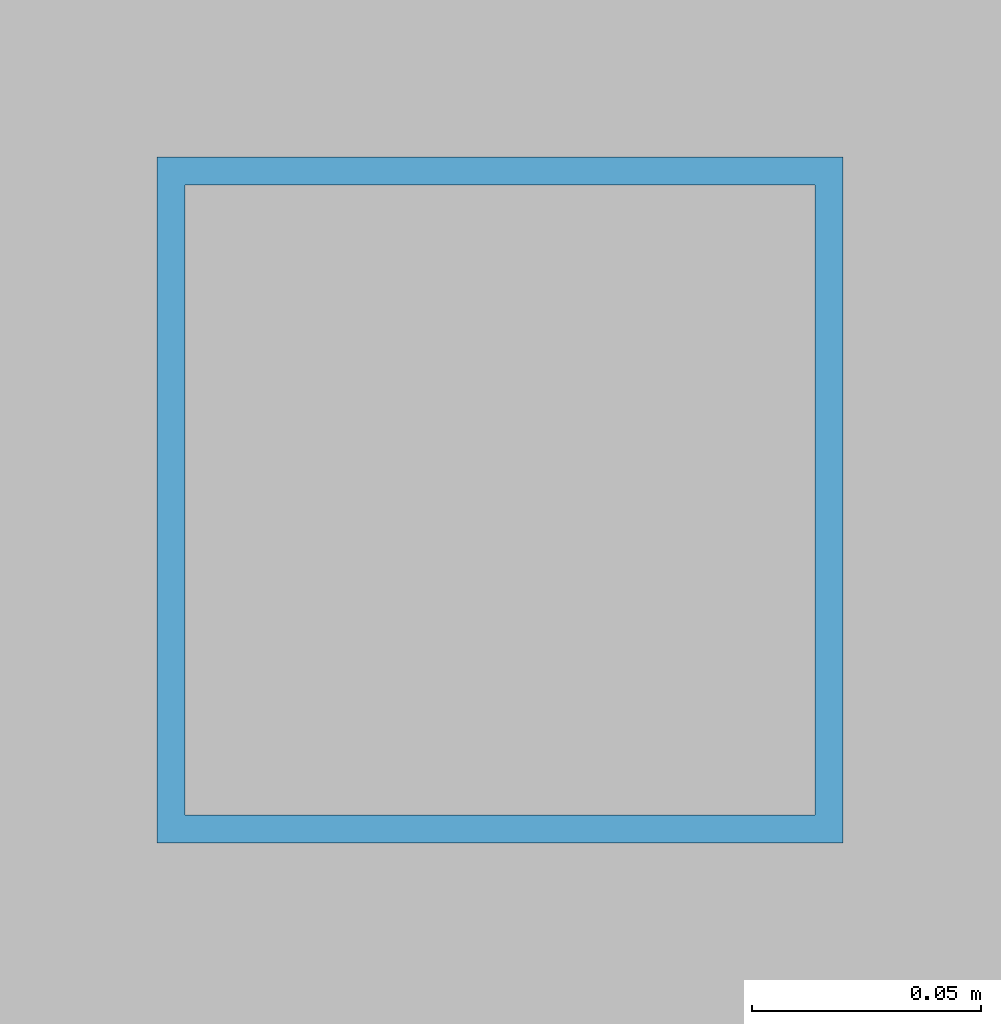
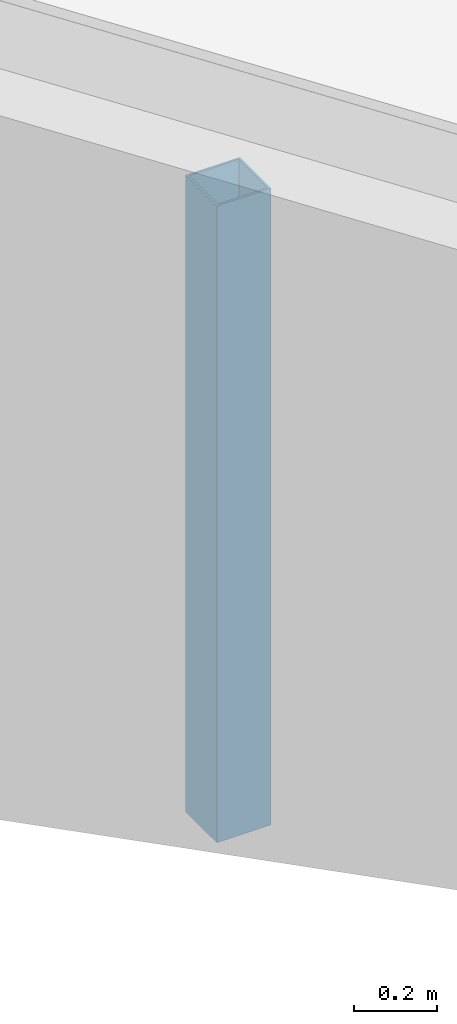
# One storey, part 12 of 70: 1 member.
"""IFC4 building model written with IfcOpenShell, lengths in metres."""

from ifc_helpers import new_model, si_unit, direction, frame, origin, origin_2d, place, context, subcontext, project, spatial, hollow_rectangle, extrude, material, material_profile, profile_set, type_object, element, save


model = new_model("IFC4")

# Units and contexts
model_context = context("Model", 3, precision=1e-05, world=origin(), true_north=direction((0.0, 1.0)))
body_context = subcontext(model_context, "Body", "Model", "MODEL_VIEW")
ifc_project = project(units=[si_unit("LENGTHUNIT", "METRE"), si_unit("AREAUNIT", "SQUARE_METRE"), si_unit("VOLUMEUNIT", "CUBIC_METRE"), si_unit("PLANEANGLEUNIT", "RADIAN"), si_unit("MASSUNIT", "GRAM", prefix="KILO")], contexts=[model_context])

# Site, building, storey
site_placement = place(None, origin())
site = spatial("IfcSite", under=ifc_project, at=site_placement, CompositionType="ELEMENT")
building_placement = place(site_placement, origin())
building = spatial("IfcBuilding", under=site, at=building_placement, Name="Vondelvale Polytechnic", CompositionType="ELEMENT")
storey_placement = place(building_placement, frame((0.0, 0.0, 22.199951171875)))
storey = spatial("IfcBuildingStorey", under=building, at=storey_placement, Name="L05", CompositionType="ELEMENT", Elevation=22.199951171875)

# Member
ifc_material = material(Name="Steel C350L0 (fy = 350 MPa)", Category="steel")
ifc_material_profile = material_profile(ifc_material, hollow_rectangle(XDim=0.14990234375, YDim=0.14990234375, WallThickness=0.006103515625, at=origin_2d()), Name="150x150x6.0SHS")
ifc_profile_set = profile_set([ifc_material_profile], Name="Steel C350L0 (fy = 350 MPa)")
member_type = type_object("IfcMemberType", Name="ROOF TRUSS POST 150SHS", PredefinedType="POST", material=ifc_profile_set)
member_placement = place(storey_placement, frame((75.8369140625, 98.1630859375, 0.0), z_axis=(0.0, 0.0, 1.0), x_axis=(1.0, 0.0, 0.0)))
element("IfcMember", 1, at=member_placement, inside=storey, type_object=member_type, Name="Ring step mid roof post 08", PredefinedType="POST", context=body_context, shape_type="SweptSolid", body=[
    extrude(hollow_rectangle(XDim=0.14990234375, YDim=0.14990234375, WallThickness=0.006103515625, at=origin_2d()), origin(), (0.0, 0.0, 1.0), 1.86572265625),
])

save(model, "model.ifc")
